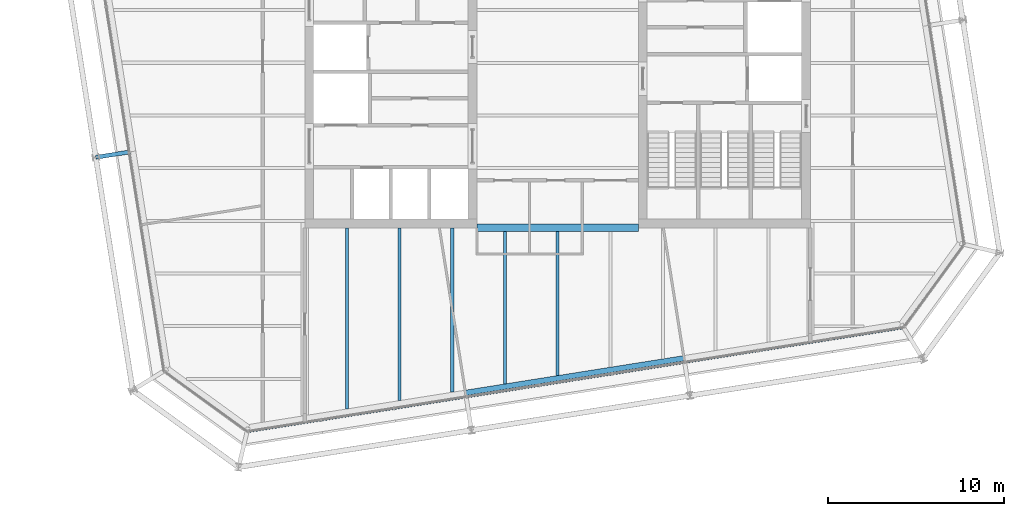
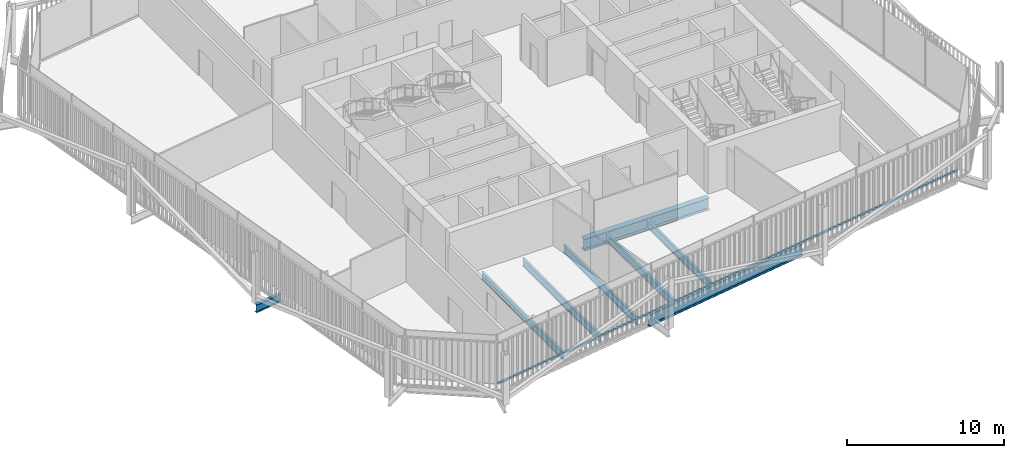
# One storey, part 4 of 21: 8 beams, 1 member, 1 element without a shape of its own.
"""IFC4 building model written with IfcOpenShell, lengths in metres."""

from ifc_helpers import new_model, si_unit, direction, frame, origin, origin_2d, place, context, subcontext, project, spatial, rectangle, i_section, extrude, material, layer, layer_set, material_profile, profile_set, type_object, element, aggregate, save


model = new_model("IFC4")

# Units and contexts
model_context = context("Model", 3, precision=1e-05, world=origin(), true_north=direction((0.0, 1.0)))
body_context = subcontext(model_context, "Body", "Model", "MODEL_VIEW")
ifc_project = project(units=[si_unit("LENGTHUNIT", "METRE"), si_unit("AREAUNIT", "SQUARE_METRE"), si_unit("VOLUMEUNIT", "CUBIC_METRE"), si_unit("PLANEANGLEUNIT", "RADIAN"), si_unit("MASSUNIT", "GRAM", prefix="KILO")], contexts=[model_context])

# Site, building, storey
site_placement = place(None, origin())
site = spatial("IfcSite", under=ifc_project, at=site_placement, CompositionType="ELEMENT")
building_placement = place(site_placement, origin())
building = spatial("IfcBuilding", under=site, at=building_placement, Name="Millrace Tower", CompositionType="ELEMENT")
storey_placement = place(building_placement, frame((0.0, 0.0, 263.0)))
storey = spatial("IfcBuildingStorey", under=building, at=storey_placement, Name="L60", CompositionType="ELEMENT", Elevation=263.0)

# Curtain wall, member
ifc_material_1 = material(Name="Aluminium and glass", Category="aluminium")
ifc_layer = layer(ifc_material_1, 0.14990234375)
ifc_layer_set = layer_set([ifc_layer], Name="Aluminium and glass")
curtain_wall_type = type_object("IfcCurtainWallType", Name="CW-1 office vision curtain wall", PredefinedType="NOTDEFINED", material=ifc_layer_set)
curtain_wall_placement = place(storey_placement, origin())
curtain_wall = element("IfcCurtainWall", 1, at=curtain_wall_placement, inside=storey, type_object=curtain_wall_type, Name="Curtain wall D-F02 L60", PredefinedType="NOTDEFINED")
ifc_material_2 = material(Name="Aluminium", Category="aluminium")
ifc_material_profile_1 = material_profile(ifc_material_2, rectangle(XDim=0.14990234375, YDim=0.139892578125, at=origin_2d()))
ifc_profile_set_1 = profile_set([ifc_material_profile_1], Name="Aluminium")
member_type = type_object("IfcMemberType", Name="CW-1 office vision curtain wall transom", PredefinedType="USERDEFINED", material=ifc_profile_set_1)
member_placement = place(storey_placement, frame((-17.558837890625, -20.98193359375, 0.070068359375), z_axis=(0.987687829698, 0.156437690685, 0.0), x_axis=(-0.156437690685, 0.987687829698, 0.0)))
member = element("IfcMember", 2, at=member_placement, type_object=member_type, Name="CW1 transom D-F02.1", ObjectType="TRANSOM", PredefinedType="USERDEFINED", context=body_context, shape_type="SweptSolid", body=[
    extrude(rectangle(XDim=0.14990234375, YDim=0.139892578125, at=origin_2d()), origin(), (0.0, 0.0, 1.0), 37.60009765625),
])
aggregate(curtain_wall, [member])

# Beams
ifc_material_3 = material(Name="Steel ASTM A992 Grade 50", Category="steel")
ifc_material_profile_2 = material_profile(ifc_material_3, i_section(OverallWidth=0.177978515625, OverallDepth=0.599365234375, WebThickness=0.010009765625, FlangeThickness=0.012939453125, FilletRadius=0.012939453125, at=origin_2d()))
ifc_profile_set_2 = profile_set([ifc_material_profile_2], Name="Steel ASTM A992 Grade 50")
beam_type_1 = type_object("IfcBeamType", Name="Floor beam W24x55", PredefinedType="JOIST", material=ifc_profile_set_2)
beam_1_placement = place(storey_placement, frame((-9.0, -19.2392578125, -0.459716796875), z_axis=(0.0, 1.0, 0.0), x_axis=(-1.0, 0.0, 0.0)))
element("IfcBeam", 3, at=beam_1_placement, inside=storey, type_object=beam_type_1, Name="BM-D-L60-S1-S039", PredefinedType="JOIST", context=body_context, shape_type="SweptSolid", body=[
    extrude(i_section(OverallWidth=0.177978515625, OverallDepth=0.599365234375, WebThickness=0.010009765625, FlangeThickness=0.012939453125, FilletRadius=0.012939453125, at=origin_2d()), origin(), (0.0, 0.0, 1.0), 9.83935546875),
])
beam_2_placement = place(storey_placement, frame((-6.0, -18.763916015625, -0.459716796875), z_axis=(0.0, 1.0, 0.0), x_axis=(-1.0, 0.0, 0.0)))
element("IfcBeam", 4, at=beam_2_placement, inside=storey, type_object=beam_type_1, Name="BM-D-L60-S1-S041", PredefinedType="JOIST", context=body_context, shape_type="SweptSolid", body=[
    extrude(i_section(OverallWidth=0.177978515625, OverallDepth=0.599365234375, WebThickness=0.010009765625, FlangeThickness=0.012939453125, FilletRadius=0.012939453125, at=origin_2d()), origin(), (0.0, 0.0, 1.0), 9.364013671875),
])
beam_3_placement = place(storey_placement, frame((-3.0, -18.288818359375, -0.459716796875), z_axis=(0.0, 1.0, 0.0), x_axis=(-1.0, 0.0, 0.0)))
element("IfcBeam", 5, at=beam_3_placement, inside=storey, type_object=beam_type_1, Name="BM-D-L60-S1-S043", PredefinedType="JOIST", context=body_context, shape_type="SweptSolid", body=[
    extrude(i_section(OverallWidth=0.177978515625, OverallDepth=0.599365234375, WebThickness=0.010009765625, FlangeThickness=0.012939453125, FilletRadius=0.012939453125, at=origin_2d()), origin(), (0.0, 0.0, 1.0), 8.67919921875),
])
beam_4_placement = place(storey_placement, frame((0.0, -17.813720703125, -0.459716796875), z_axis=(0.0, 1.0, 0.0), x_axis=(-1.0, 0.0, 0.0)))
element("IfcBeam", 6, at=beam_4_placement, inside=storey, type_object=beam_type_1, Name="BM-D-L60-S1-S045", PredefinedType="JOIST", context=body_context, shape_type="SweptSolid", body=[
    extrude(i_section(OverallWidth=0.177978515625, OverallDepth=0.599365234375, WebThickness=0.010009765625, FlangeThickness=0.012939453125, FilletRadius=0.012939453125, at=origin_2d()), origin(), (0.0, 0.0, 1.0), 8.2041015625),
])
ifc_material_4 = material(Name="Steel ASTM A992 Grade 50", Category="steel")
ifc_material_profile_3 = material_profile(ifc_material_4, i_section(OverallWidth=0.1787109375, OverallDepth=0.60205078125, WebThickness=0.010986328125, FlangeThickness=0.014892578125, FilletRadius=0.0126953125, at=origin_2d()))
ifc_profile_set_3 = profile_set([ifc_material_profile_3], Name="Steel ASTM A992 Grade 50")
beam_type_2 = type_object("IfcBeamType", Name="Floor beam W24x62", PredefinedType="JOIST", material=ifc_profile_set_3)
beam_5_placement = place(storey_placement, frame((-12.0, -19.71435546875, -0.4609375), z_axis=(0.0, 1.0, 0.0), x_axis=(-1.0, 0.0, 0.0)))
element("IfcBeam", 7, at=beam_5_placement, inside=storey, type_object=beam_type_2, Name="BM-D-L60-S1-S037", PredefinedType="JOIST", context=body_context, shape_type="SweptSolid", body=[
    extrude(i_section(OverallWidth=0.1787109375, OverallDepth=0.60205078125, WebThickness=0.010986328125, FlangeThickness=0.014892578125, FilletRadius=0.0126953125, at=origin_2d()), origin(), (0.0, 0.0, 1.0), 10.314453125),
])
ifc_material_5 = material(Name="Steel ASTM A992 Grade 50", Category="steel")
ifc_material_profile_4 = material_profile(ifc_material_5, i_section(OverallWidth=0.419189453125, OverallDepth=0.927001953125, WebThickness=0.019287109375, FlangeThickness=0.031982421875, FilletRadius=0.024169921875, at=origin_2d()))
ifc_profile_set_4 = profile_set([ifc_material_profile_4], Name="Steel ASTM A992 Grade 50")
beam_type_3 = type_object("IfcBeamType", Name="Girder short span W36x231", PredefinedType="BEAM", material=ifc_profile_set_4)
beam_6_placement = place(storey_placement, frame((-4.60009765625, -9.39990234375, -0.62353515625), z_axis=(1.0, 0.0, 0.0), x_axis=(0.0, 1.0, 0.0)))
element("IfcBeam", 8, at=beam_6_placement, inside=storey, type_object=beam_type_3, Name="BM-D-L60-S1-G059", PredefinedType="BEAM", context=body_context, shape_type="SweptSolid", body=[
    extrude(i_section(OverallWidth=0.419189453125, OverallDepth=0.927001953125, WebThickness=0.019287109375, FlangeThickness=0.031982421875, FilletRadius=0.024169921875, at=origin_2d()), origin(), (0.0, 0.0, 1.0), 9.2001953125),
])
ifc_material_6 = material(Name="Steel ASTM A992 Grade 50", Category="steel")
ifc_material_profile_5 = material_profile(ifc_material_6, i_section(OverallWidth=0.23046875, OverallDepth=0.6171875, WebThickness=0.01318359375, FlangeThickness=0.022216796875, FilletRadius=0.012939453125, at=origin_2d()))
ifc_profile_set_5 = profile_set([ifc_material_profile_5], Name="Steel ASTM A992 Grade 50")
beam_type_4 = type_object("IfcBeamType", Name="Link beam W24x94", PredefinedType="BEAM", material=ifc_profile_set_5)
beam_7_placement = place(storey_placement, frame((-24.331298828125, -5.0703125, -0.468505859375), z_axis=(-0.987678691416, -0.156495375404, 0.0), x_axis=(0.156495375404, -0.987678691416, 0.0)))
element("IfcBeam", 9, at=beam_7_placement, inside=storey, type_object=beam_type_4, Name="LNK-D-L60-S1-02", PredefinedType="BEAM", context=body_context, shape_type="SweptSolid", body=[
    extrude(i_section(OverallWidth=0.23046875, OverallDepth=0.6171875, WebThickness=0.01318359375, FlangeThickness=0.022216796875, FilletRadius=0.012939453125, at=origin_2d()), origin(), (0.0, 0.0, 1.0), 2.0),
])
ifc_material_7 = material(Name="Steel ASTM A992 Grade 50", Category="steel")
ifc_material_profile_6 = material_profile(ifc_material_7, i_section(OverallWidth=0.307373046875, OverallDepth=0.927001953125, WebThickness=0.01953125, FlangeThickness=0.031982421875, FilletRadius=0.01904296875, at=origin_2d()))
ifc_profile_set_6 = profile_set([ifc_material_profile_6], Name="Steel ASTM A992 Grade 50")
beam_type_5 = type_object("IfcBeamType", Name="Ring beam medium span W36x194", PredefinedType="SPANDREL", material=ifc_profile_set_6)
beam_8_placement = place(storey_placement, frame((7.1962890625, -16.82958984375, -0.62353515625), z_axis=(-0.987689802912, -0.156425232058, 0.0), x_axis=(0.156425232058, -0.987689802912, 0.0)))
element("IfcBeam", 10, at=beam_8_placement, inside=storey, type_object=beam_type_5, Name="RNG-D-L60-S1-14", PredefinedType="SPANDREL", context=body_context, shape_type="SweptSolid", body=[
    extrude(i_section(OverallWidth=0.307373046875, OverallDepth=0.927001953125, WebThickness=0.01953125, FlangeThickness=0.031982421875, FilletRadius=0.01904296875, at=origin_2d()), origin(), (0.0, 0.0, 1.0), 12.599853515625),
])

save(model, "model.ifc")
